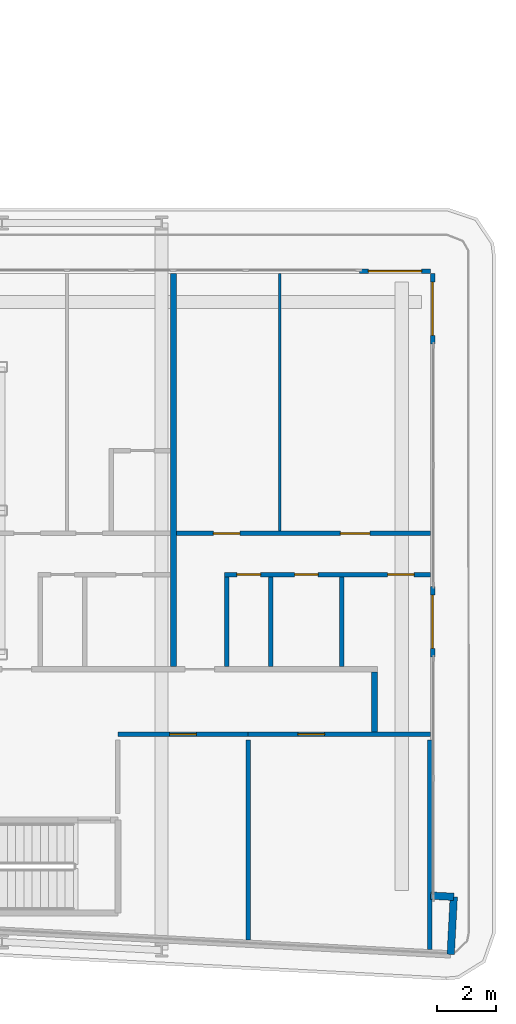
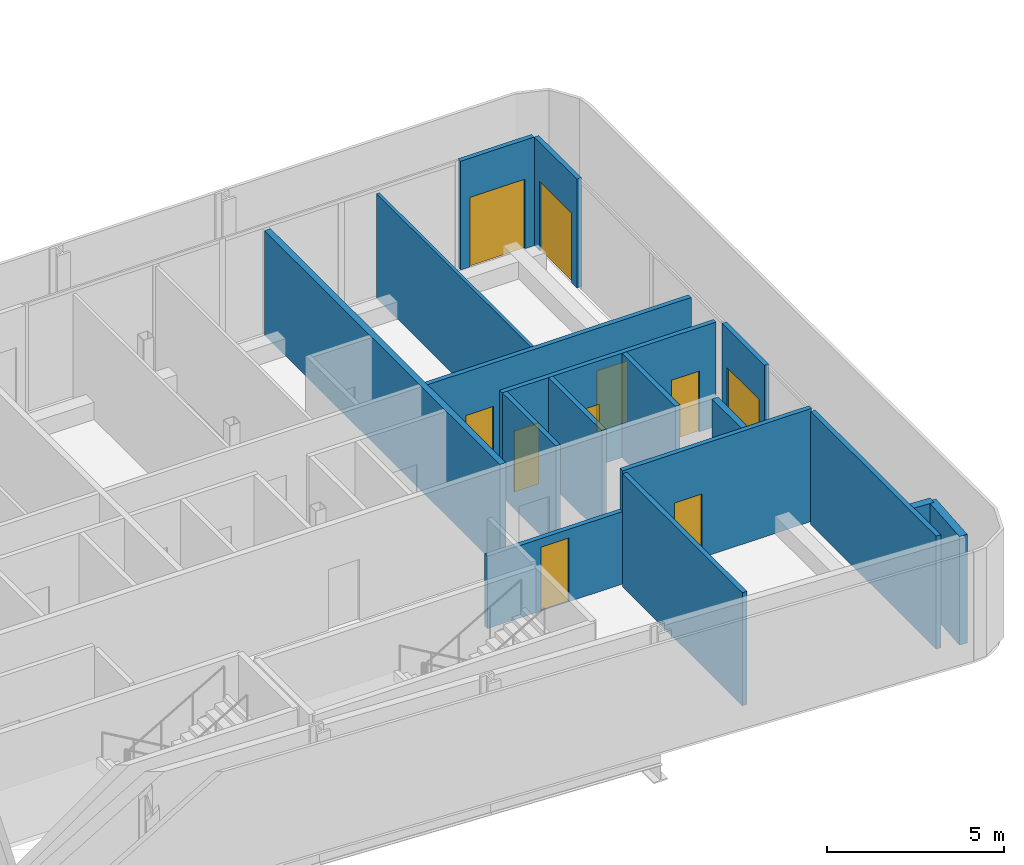
# One storey, part 19 of 28: 17 walls, 10 doors, 10 openings.
"""IFC4 building model written with IfcOpenShell, lengths in metres."""

from ifc_helpers import new_model, si_unit, direction, frame, frame_2d, origin, place, context, subcontext, project, spatial, rectangle, extrude, source, transform, mapped, material, layer, layer_set, type_object, element, fill, save


model = new_model("IFC4")

# Units and contexts
model_context = context("Model", 3, precision=1e-05, world=origin(), true_north=direction((0.0, 1.0)))
body_context = subcontext(model_context, "Body", "Model", "MODEL_VIEW")
ifc_project = project(units=[si_unit("LENGTHUNIT", "METRE"), si_unit("AREAUNIT", "SQUARE_METRE"), si_unit("VOLUMEUNIT", "CUBIC_METRE"), si_unit("PLANEANGLEUNIT", "RADIAN"), si_unit("MASSUNIT", "GRAM", prefix="KILO")], contexts=[model_context])

# Site, building, storey
site_placement = place(None, origin())
site = spatial("IfcSite", under=ifc_project, at=site_placement, CompositionType="ELEMENT")
building_placement = place(site_placement, origin())
building = spatial("IfcBuilding", under=site, at=building_placement, Name="Kheshtan School and Residences Tower", CompositionType="ELEMENT")
storey_placement = place(building_placement, frame((0.0, 0.0, 73.39990234375)))
storey = spatial("IfcBuildingStorey", under=building, at=storey_placement, Name="L17", CompositionType="ELEMENT", Elevation=73.39990234375)

# Walls
ifc_material_1 = material(Name="Gypsum board on steel studs with fire boards", Category="steel")
ifc_layer_1 = layer(ifc_material_1, 0.199951171875)
ifc_layer_set_1 = layer_set([ifc_layer_1], Name="Corridor wall 200")
wall_type_1 = type_object("IfcWallType", Name="Corridor wall 200", PredefinedType="PARTITIONING", material=ifc_layer_set_1)
wall_1_placement = place(storey_placement, frame((98.0, 28.3740234375, 0.0), z_axis=(0.0, 0.0, 1.0), x_axis=(0.0, 1.0, 0.0)))
element("IfcWall", 1, at=wall_1_placement, inside=storey, type_object=wall_type_1, Name="Partition L17-091", PredefinedType="PARTITIONING", context=body_context, shape_type="SweptSolid", body=[
    extrude(rectangle(XDim=2.02587890625, YDim=0.199951171875, at=frame_2d((1.012939453125, 0.0))), origin(), (0.0, 0.0, 1.0), 3.60009765625),
])
ifc_material_2 = material(Name="Concrete C40/50 with ceramic cladding and mineral wool insulation", Category="concrete")
ifc_layer_2 = layer(ifc_material_2, 0.25)
ifc_layer_set_2 = layer_set([ifc_layer_2], Name="External wall 250 ceramic clad")
wall_type_2 = type_object("IfcWallType", Name="External wall 250 ceramic clad", PredefinedType="SOLIDWALL", material=ifc_layer_set_2)
wall_2_placement = place(storey_placement, frame((99.906982421875, 22.839111328125, 0.0), z_axis=(0.0, 0.0, 1.0), x_axis=(0.998561284263, -0.053622398031, 0.0)))
element("IfcWall", 2, at=wall_2_placement, inside=storey, type_object=wall_type_2, Name="External wall L17 14", PredefinedType="SOLIDWALL", context=body_context, shape_type="SweptSolid", body=[
    extrude(rectangle(XDim=0.783203125, YDim=0.25, at=frame_2d((0.3916015625, 0.0))), origin(), (0.0, 0.0, 1.0), 3.75),
])
wall_3_placement = place(storey_placement, frame((100.68896484375, 22.797119140625, 0.0), z_axis=(0.0, 0.0, 1.0), x_axis=(-0.052841433274, -0.998602915542, 0.0)))
element("IfcWall", 3, at=wall_3_placement, inside=storey, type_object=wall_type_2, Name="External wall L17 15", PredefinedType="SOLIDWALL", context=body_context, shape_type="SweptSolid", body=[
    extrude(rectangle(XDim=1.94970703125, YDim=0.25, at=frame_2d((0.974853515625, 0.0))), origin(), (0.0, 0.0, 1.0), 3.75),
])

# Wall, opening, door
ifc_material_3 = material(Name="Aluminium frame wall with insulated infill", Category="aluminium")
ifc_layer_3 = layer(ifc_material_3, 0.14990234375)
ifc_layer_set_3 = layer_set([ifc_layer_3], Name="Glazing frame wall 150")
wall_type_3 = type_object("IfcWallType", Name="Glazing frame wall 150", PredefinedType="SOLIDWALL", material=ifc_layer_set_3)
wall_4_placement = place(storey_placement, frame((97.5, 43.97509765625, 0.0), z_axis=(0.0, 0.0, 1.0), x_axis=(1.0, 0.0, 0.0)))
wall_4 = element("IfcWall", 4, at=wall_4_placement, inside=storey, type_object=wall_type_3, Name="Balcony door wall L17 12.5", PredefinedType="SOLIDWALL", context=body_context, shape_type="SweptSolid", body=[
    extrude(rectangle(XDim=2.39990234375, YDim=0.14990234375, at=frame_2d((1.199951171875, 0.0))), origin(), (0.0, 0.0, 1.0), 3.75),
])
opening_1_placement = place(wall_4_placement, frame((0.300048828125, 0.0, 0.0)))
opening_1 = element("IfcOpeningElement", 5, at=opening_1_placement, cuts=wall_4, Name="Opening BD", PredefinedType="OPENING", context=body_context, shape_type="SweptSolid", body=[
    extrude(rectangle(XDim=1.800048828125, YDim=2.39990234375, at=frame_2d((0.89990234375, 1.199951171875))), frame((0.0, 0.0849609375, 0.0), z_axis=(0.0, -1.0, 0.0), x_axis=(1.0, 0.0, 0.0)), (0.0, 0.0, 1.0), 0.169921875),
])
ifc_material_4 = material(Name="Clear low-e glass in thermally broken aluminium frame", Category="aluminium")
door_type_1 = type_object("IfcDoorType", Name="Balcony sliding door", OperationType="SLIDING_TO_LEFT", PredefinedType="DOOR", material=ifc_material_4)
shared_shape_1 = source(origin(), body_context, "Body", "SweptSolid", [
    extrude(rectangle(XDim=1.800048828125, YDim=2.39990234375, at=frame_2d((0.89990234375, 1.199951171875))), frame((0.0, 0.02490234375, 0.0), z_axis=(0.0, -1.0, 0.0), x_axis=(1.0, 0.0, 0.0)), (0.0, 0.0, 1.0), 0.050048828125),
])
door_1_placement = place(opening_1_placement, origin())
door_1 = element("IfcDoor", 6, at=door_1_placement, inside=storey, type_object=door_type_1, Name="Balcony door L17 12.5", OperationType="SLIDING_TO_LEFT", OverallHeight=2.39990234375, OverallWidth=1.800048828125, PredefinedType="DOOR", context=body_context, shape_type="MappedRepresentation", body=[
    mapped(shared_shape_1, transform((0.0, 0.0, 0.0), x_axis=(1.0, 0.0, 0.0), y_axis=(0.0, 1.0, 0.0), z_axis=(0.0, 0.0, 1.0), scale=1.0)),
])
fill(opening_1, door_1)

wall_5_placement = place(storey_placement, frame((99.97509765625, 43.89990234375, 0.0), z_axis=(0.0, 0.0, 1.0), x_axis=(0.0, -1.0, 0.0)))
wall_5 = element("IfcWall", 7, at=wall_5_placement, inside=storey, type_object=wall_type_3, Name="Balcony door wall L17 13.1", PredefinedType="SOLIDWALL", context=body_context, shape_type="SweptSolid", body=[
    extrude(rectangle(XDim=2.39990234375, YDim=0.14990234375, at=frame_2d((1.199951171875, 0.0))), origin(), (0.0, 0.0, 1.0), 3.75),
])
opening_2_placement = place(wall_5_placement, frame((0.300048828125, 0.0, 0.0)))
opening_2 = element("IfcOpeningElement", 8, at=opening_2_placement, cuts=wall_5, Name="Opening BD", PredefinedType="OPENING", context=body_context, shape_type="SweptSolid", body=[
    extrude(rectangle(XDim=1.800048828125, YDim=2.39990234375, at=frame_2d((0.89990234375, 1.199951171875))), frame((0.0, 0.0849609375, 0.0), z_axis=(0.0, -1.0, 0.0), x_axis=(1.0, 0.0, 0.0)), (0.0, 0.0, 1.0), 0.169921875),
])
door_2_placement = place(opening_2_placement, origin())
door_2 = element("IfcDoor", 9, at=door_2_placement, inside=storey, type_object=door_type_1, Name="Balcony door L17 13.1", OperationType="SLIDING_TO_LEFT", OverallHeight=2.39990234375, OverallWidth=1.800048828125, PredefinedType="DOOR", context=body_context, shape_type="MappedRepresentation", body=[
    mapped(shared_shape_1, transform((0.0, 0.0, 0.0), x_axis=(1.0, 0.0, 0.0), y_axis=(0.0, 1.0, 0.0), z_axis=(0.0, 0.0, 1.0), scale=1.0)),
])
fill(opening_2, door_2)

wall_6_placement = place(storey_placement, frame((99.97509765625, 33.306884765625, 0.0), z_axis=(0.0, 0.0, 1.0), x_axis=(0.0, -1.0, 0.0)))
wall_6 = element("IfcWall", 10, at=wall_6_placement, inside=storey, type_object=wall_type_3, Name="Balcony door wall L17 13.2", PredefinedType="SOLIDWALL", context=body_context, shape_type="SweptSolid", body=[
    extrude(rectangle(XDim=2.39990234375, YDim=0.14990234375, at=frame_2d((1.199951171875, 0.0))), origin(), (0.0, 0.0, 1.0), 3.75),
])
opening_3_placement = place(wall_6_placement, frame((0.300048828125, 0.0, 0.0)))
opening_3 = element("IfcOpeningElement", 11, at=opening_3_placement, cuts=wall_6, Name="Opening BD", PredefinedType="OPENING", context=body_context, shape_type="SweptSolid", body=[
    extrude(rectangle(XDim=1.800048828125, YDim=2.39990234375, at=frame_2d((0.89990234375, 1.199951171875))), frame((0.0, 0.0849609375, 0.0), z_axis=(0.0, -1.0, 0.0), x_axis=(1.0, 0.0, 0.0)), (0.0, 0.0, 1.0), 0.169921875),
])
door_3_placement = place(opening_3_placement, origin())
door_3 = element("IfcDoor", 12, at=door_3_placement, inside=storey, type_object=door_type_1, Name="Balcony door L17 13.2", OperationType="SLIDING_TO_LEFT", OverallHeight=2.39990234375, OverallWidth=1.800048828125, PredefinedType="DOOR", context=body_context, shape_type="MappedRepresentation", body=[
    mapped(shared_shape_1, transform((0.0, 0.0, 0.0), x_axis=(1.0, 0.0, 0.0), y_axis=(0.0, 1.0, 0.0), z_axis=(0.0, 0.0, 1.0), scale=1.0)),
])
fill(opening_3, door_3)

# Wall
ifc_material_5 = material(Name="Gypsum board on steel studs", Category="steel")
ifc_layer_4 = layer(ifc_material_5, 0.10009765625)
ifc_layer_set_4 = layer_set([ifc_layer_4], Name="Gypsum partition 100")
wall_type_4 = type_object("IfcWallType", Name="Gypsum partition 100", PredefinedType="PARTITIONING", material=ifc_layer_set_4)
wall_7_placement = place(storey_placement, frame((94.800048828125, 35.175048828125, 0.0), z_axis=(0.0, 0.0, 1.0), x_axis=(0.0, 1.0, 0.0)))
element("IfcWall", 13, at=wall_7_placement, inside=storey, type_object=wall_type_4, Name="Partition L17-089", PredefinedType="PARTITIONING", context=body_context, shape_type="SweptSolid", body=[
    extrude(rectangle(XDim=8.724853515625, YDim=0.10009765625, at=frame_2d((4.3623046875, 0.0))), origin(), (0.0, 0.0, 1.0), 3.60009765625),
])

# Wall, opening, door
ifc_material_6 = material(Name="Fire-board shaft wall system")
ifc_layer_5 = layer(ifc_material_6, 0.14990234375)
ifc_layer_set_5 = layer_set([ifc_layer_5], Name="Service room wall 150")
wall_type_5 = type_object("IfcWallType", Name="Service room wall 150", PredefinedType="PARTITIONING", material=ifc_layer_set_5)
wall_8_placement = place(storey_placement, frame((89.320068359375, 28.300048828125, 0.0), z_axis=(0.0, 0.0, 1.0), x_axis=(1.0, 0.0, 0.0)))
wall_8 = element("IfcWall", 14, at=wall_8_placement, inside=storey, type_object=wall_type_5, Name="Service room wall", PredefinedType="PARTITIONING", context=body_context, shape_type="SweptSolid", body=[
    extrude(rectangle(XDim=4.412841796875, YDim=0.14990234375, at=frame_2d((2.20654296875, 0.0))), origin(), (0.0, 0.0, 1.0), 2.5),
])
opening_4_placement = place(wall_8_placement, frame((1.756103515625, 0.0, 0.0)))
opening_4 = element("IfcOpeningElement", 15, at=opening_4_placement, cuts=wall_8, Name="Opening SR90", PredefinedType="OPENING", context=body_context, shape_type="SweptSolid", body=[
    extrude(rectangle(XDim=0.89990234375, YDim=2.199951171875, at=frame_2d((0.449951171875, 1.10009765625))), frame((0.0, 0.0849609375, 0.0), z_axis=(0.0, -1.0, 0.0), x_axis=(1.0, 0.0, 0.0)), (0.0, 0.0, 1.0), 0.169921875),
])
ifc_material_7 = material(Name="Steel door leaf, galvanised", Category="steel")
door_type_2 = type_object("IfcDoorType", Name="Service room door 900 steel 90 min", OperationType="SINGLE_SWING_LEFT", PredefinedType="DOOR", material=ifc_material_7)
shared_shape_2 = source(origin(), body_context, "Body", "SweptSolid", [
    extrude(rectangle(XDim=0.89990234375, YDim=2.199951171875, at=frame_2d((0.449951171875, 1.10009765625))), frame((0.0, 0.02490234375, 0.0), z_axis=(0.0, -1.0, 0.0), x_axis=(1.0, 0.0, 0.0)), (0.0, 0.0, 1.0), 0.050048828125),
])
door_4_placement = place(opening_4_placement, origin())
door_4 = element("IfcDoor", 16, at=door_4_placement, inside=storey, type_object=door_type_2, Name="Service room door", OperationType="SINGLE_SWING_LEFT", OverallHeight=2.199951171875, OverallWidth=0.89990234375, PredefinedType="DOOR", context=body_context, shape_type="MappedRepresentation", body=[
    mapped(shared_shape_2, transform((0.0, 0.0, 0.0), x_axis=(1.0, 0.0, 0.0), y_axis=(0.0, 1.0, 0.0), z_axis=(0.0, 0.0, 1.0), scale=1.0)),
])
fill(opening_4, door_4)

# Wall
wall_9_placement = place(storey_placement, frame((93.73291015625, 21.337890625, 0.0), z_axis=(0.0, 0.0, 1.0), x_axis=(0.0, 1.0, 0.0)))
element("IfcWall", 17, at=wall_9_placement, inside=storey, type_object=wall_type_5, Name="Service room wall", PredefinedType="PARTITIONING", context=body_context, shape_type="SweptSolid", body=[
    extrude(rectangle(XDim=6.76708984375, YDim=0.14990234375, at=frame_2d((3.383544921875, 0.0))), origin(), (0.0, 0.0, 1.0), 3.900146484375),
])

# Wall, opening, door
wall_10_placement = place(storey_placement, frame((93.73291015625, 28.300048828125, 0.0), z_axis=(0.0, 0.0, 1.0), x_axis=(1.0, 0.0, 0.0)))
wall_10 = element("IfcWall", 18, at=wall_10_placement, inside=storey, type_object=wall_type_5, Name="Service room wall", PredefinedType="PARTITIONING", context=body_context, shape_type="SweptSolid", body=[
    extrude(rectangle(XDim=6.1650390625, YDim=0.14990234375, at=frame_2d((3.08251953125, 0.0))), origin(), (0.0, 0.0, 1.0), 3.900146484375),
])
opening_5_placement = place(wall_10_placement, frame((1.68310546875, 0.0, 0.0)))
opening_5 = element("IfcOpeningElement", 19, at=opening_5_placement, cuts=wall_10, Name="Opening SR90", PredefinedType="OPENING", context=body_context, shape_type="SweptSolid", body=[
    extrude(rectangle(XDim=0.89990234375, YDim=2.199951171875, at=frame_2d((0.449951171875, 1.10009765625))), frame((0.0, 0.0849609375, 0.0), z_axis=(0.0, -1.0, 0.0), x_axis=(1.0, 0.0, 0.0)), (0.0, 0.0, 1.0), 0.169921875),
])
door_5_placement = place(opening_5_placement, origin())
door_5 = element("IfcDoor", 20, at=door_5_placement, inside=storey, type_object=door_type_2, Name="Service room door", OperationType="SINGLE_SWING_RIGHT", OverallHeight=2.199951171875, OverallWidth=0.89990234375, PredefinedType="DOOR", context=body_context, shape_type="MappedRepresentation", body=[
    mapped(shared_shape_2, transform((0.0, 0.0, 0.0), x_axis=(1.0, 0.0, 0.0), y_axis=(0.0, 1.0, 0.0), z_axis=(0.0, 0.0, 1.0), scale=1.0)),
])
fill(opening_5, door_5)

# Walls
wall_11_placement = place(storey_placement, frame((99.8701171875, 21.014892578125, 0.0), z_axis=(0.0, 0.0, 1.0), x_axis=(0.0, 1.0, 0.0)))
element("IfcWall", 21, at=wall_11_placement, inside=storey, type_object=wall_type_5, Name="Service room wall", PredefinedType="PARTITIONING", context=body_context, shape_type="SweptSolid", body=[
    extrude(rectangle(XDim=7.090087890625, YDim=0.14990234375, at=frame_2d((3.544921875, 0.0))), origin(), (0.0, 0.0, 1.0), 3.900146484375),
])
ifc_material_8 = material(Name="Twin gypsum board on steel studs with mineral wool", Category="steel")
ifc_layer_6 = layer(ifc_material_8, 0.199951171875)
ifc_layer_set_6 = layer_set([ifc_layer_6], Name="Unit demising wall 200")
wall_type_6 = type_object("IfcWallType", Name="Unit demising wall 200", PredefinedType="PARTITIONING", material=ifc_layer_set_6)
wall_12_placement = place(storey_placement, frame((91.199951171875, 30.60009765625, 0.0), z_axis=(0.0, 0.0, 1.0), x_axis=(0.0, 1.0, 0.0)))
element("IfcWall", 22, at=wall_12_placement, inside=storey, type_object=wall_type_6, Name="Partition L17-084", PredefinedType="PARTITIONING", context=body_context, shape_type="SweptSolid", body=[
    extrude(rectangle(XDim=13.2998046875, YDim=0.199951171875, at=frame_2d((6.64990234375, 0.0))), origin(), (0.0, 0.0, 1.0), 3.60009765625),
])

# Wall, openings, doors
ifc_material_9 = material(Name="Moisture-resistant gypsum board on steel studs", Category="steel")
ifc_layer_7 = layer(ifc_material_9, 0.14990234375)
ifc_layer_set_7 = layer_set([ifc_layer_7], Name="Wet-room partition 150")
wall_type_7 = type_object("IfcWallType", Name="Wet-room partition 150", PredefinedType="PARTITIONING", material=ifc_layer_set_7)
wall_13_placement = place(storey_placement, frame((91.300048828125, 35.10009765625, 0.0), z_axis=(0.0, 0.0, 1.0), x_axis=(1.0, 0.0, 0.0)))
wall_13 = element("IfcWall", 23, at=wall_13_placement, inside=storey, type_object=wall_type_7, Name="Partition L17-085", PredefinedType="PARTITIONING", context=body_context, shape_type="SweptSolid", body=[
    extrude(rectangle(XDim=8.599853515625, YDim=0.14990234375, at=frame_2d((4.2998046875, 0.0))), origin(), (0.0, 0.0, 1.0), 3.60009765625),
])
opening_6_placement = place(wall_13_placement, frame((1.25, 0.0, 0.0)))
opening_6 = element("IfcOpeningElement", 24, at=opening_6_placement, cuts=wall_13, Name="Opening D17-031", PredefinedType="OPENING", context=body_context, shape_type="SweptSolid", body=[
    extrude(rectangle(XDim=0.89990234375, YDim=2.10009765625, at=frame_2d((0.449951171875, 1.050048828125))), frame((0.0, 0.0849609375, 0.0), z_axis=(0.0, -1.0, 0.0), x_axis=(1.0, 0.0, 0.0)), (0.0, 0.0, 1.0), 0.169921875),
])
opening_7_placement = place(wall_13_placement, frame((5.550048828125, 0.0, 0.0)))
opening_7 = element("IfcOpeningElement", 25, at=opening_7_placement, cuts=wall_13, Name="Opening D17-034", PredefinedType="OPENING", context=body_context, shape_type="SweptSolid", body=[
    extrude(rectangle(XDim=1.0, YDim=2.10009765625, at=frame_2d((0.5, 1.050048828125))), frame((0.0, 0.0849609375, 0.0), z_axis=(0.0, -1.0, 0.0), x_axis=(1.0, 0.0, 0.0)), (0.0, 0.0, 1.0), 0.169921875),
])
ifc_material_10 = material(Name="Veneered timber door leaf", Category="wood")
door_type_3 = type_object("IfcDoorType", Name="Door 1000 x 2100", OperationType="SINGLE_SWING_LEFT", PredefinedType="DOOR", material=ifc_material_10)
shared_shape_3 = source(origin(), body_context, "Body", "SweptSolid", [
    extrude(rectangle(XDim=1.0, YDim=2.10009765625, at=frame_2d((0.5, 1.050048828125))), frame((0.0, 0.02490234375, 0.0), z_axis=(0.0, -1.0, 0.0), x_axis=(1.0, 0.0, 0.0)), (0.0, 0.0, 1.0), 0.050048828125),
])
door_6_placement = place(opening_7_placement, origin())
door_6 = element("IfcDoor", 26, at=door_6_placement, inside=storey, type_object=door_type_3, Name="Door D17-034", OperationType="SINGLE_SWING_LEFT", OverallHeight=2.10009765625, OverallWidth=1.0, PredefinedType="DOOR", context=body_context, shape_type="MappedRepresentation", body=[
    mapped(shared_shape_3, transform((0.0, 0.0, 0.0), x_axis=(1.0, 0.0, 0.0), y_axis=(0.0, 1.0, 0.0), z_axis=(0.0, 0.0, 1.0), scale=1.0)),
])
fill(opening_7, door_6)
door_type_4 = type_object("IfcDoorType", Name="Door 900 x 2100", OperationType="SINGLE_SWING_LEFT", PredefinedType="DOOR", material=ifc_material_10)
shared_shape_4 = source(origin(), body_context, "Body", "SweptSolid", [
    extrude(rectangle(XDim=0.89990234375, YDim=2.10009765625, at=frame_2d((0.449951171875, 1.050048828125))), frame((0.0, 0.02490234375, 0.0), z_axis=(0.0, -1.0, 0.0), x_axis=(1.0, 0.0, 0.0)), (0.0, 0.0, 1.0), 0.050048828125),
])
door_7_placement = place(opening_6_placement, origin())
door_7 = element("IfcDoor", 27, at=door_7_placement, inside=storey, type_object=door_type_4, Name="Door D17-031", OperationType="SINGLE_SWING_RIGHT", OverallHeight=2.10009765625, OverallWidth=0.89990234375, PredefinedType="DOOR", context=body_context, shape_type="MappedRepresentation", body=[
    mapped(shared_shape_4, transform((0.0, 0.0, 0.0), x_axis=(1.0, 0.0, 0.0), y_axis=(0.0, 1.0, 0.0), z_axis=(0.0, 0.0, 1.0), scale=1.0)),
])
fill(opening_6, door_7)

wall_14_placement = place(storey_placement, frame((92.925048828125, 33.699951171875, 0.0), z_axis=(0.0, 0.0, 1.0), x_axis=(1.0, 0.0, 0.0)))
wall_14 = element("IfcWall", 28, at=wall_14_placement, inside=storey, type_object=wall_type_7, Name="Partition L17-086", PredefinedType="PARTITIONING", context=body_context, shape_type="SweptSolid", body=[
    extrude(rectangle(XDim=6.974853515625, YDim=0.14990234375, at=frame_2d((3.4873046875, 0.0))), origin(), (0.0, 0.0, 1.0), 3.60009765625),
])
opening_8_placement = place(wall_14_placement, frame((2.375, 0.0, 0.0)))
opening_8 = element("IfcOpeningElement", 29, at=opening_8_placement, cuts=wall_14, Name="Opening D17-030", PredefinedType="OPENING", context=body_context, shape_type="SweptSolid", body=[
    extrude(rectangle(XDim=0.800048828125, YDim=2.10009765625, at=frame_2d((0.39990234375, 1.050048828125))), frame((0.0, 0.0849609375, 0.0), z_axis=(0.0, -1.0, 0.0), x_axis=(1.0, 0.0, 0.0)), (0.0, 0.0, 1.0), 0.169921875),
])
opening_9_placement = place(wall_14_placement, frame((5.52490234375, 0.0, 0.0)))
opening_9 = element("IfcOpeningElement", 30, at=opening_9_placement, cuts=wall_14, Name="Opening D17-033", PredefinedType="OPENING", context=body_context, shape_type="SweptSolid", body=[
    extrude(rectangle(XDim=0.89990234375, YDim=2.10009765625, at=frame_2d((0.449951171875, 1.050048828125))), frame((0.0, 0.0849609375, 0.0), z_axis=(0.0, -1.0, 0.0), x_axis=(1.0, 0.0, 0.0)), (0.0, 0.0, 1.0), 0.169921875),
])
opening_10_placement = place(wall_14_placement, frame((0.425048828125, 0.0, 0.0)))
opening_10 = element("IfcOpeningElement", 31, at=opening_10_placement, cuts=wall_14, Name="Opening D17-035", PredefinedType="OPENING", context=body_context, shape_type="SweptSolid", body=[
    extrude(rectangle(XDim=0.800048828125, YDim=2.10009765625, at=frame_2d((0.39990234375, 1.050048828125))), frame((0.0, 0.0849609375, 0.0), z_axis=(0.0, -1.0, 0.0), x_axis=(1.0, 0.0, 0.0)), (0.0, 0.0, 1.0), 0.169921875),
])
door_type_5 = type_object("IfcDoorType", Name="Door 800 x 2100", OperationType="SINGLE_SWING_LEFT", PredefinedType="DOOR", material=ifc_material_10)
shared_shape_5 = source(origin(), body_context, "Body", "SweptSolid", [
    extrude(rectangle(XDim=0.800048828125, YDim=2.10009765625, at=frame_2d((0.39990234375, 1.050048828125))), frame((0.0, 0.02490234375, 0.0), z_axis=(0.0, -1.0, 0.0), x_axis=(1.0, 0.0, 0.0)), (0.0, 0.0, 1.0), 0.050048828125),
])
door_8_placement = place(opening_8_placement, origin())
door_8 = element("IfcDoor", 32, at=door_8_placement, inside=storey, type_object=door_type_5, Name="Door D17-030", OperationType="SINGLE_SWING_LEFT", OverallHeight=2.10009765625, OverallWidth=0.800048828125, PredefinedType="DOOR", context=body_context, shape_type="MappedRepresentation", body=[
    mapped(shared_shape_5, transform((0.0, 0.0, 0.0), x_axis=(1.0, 0.0, 0.0), y_axis=(0.0, 1.0, 0.0), z_axis=(0.0, 0.0, 1.0), scale=1.0)),
])
fill(opening_8, door_8)
door_9_placement = place(opening_10_placement, origin())
door_9 = element("IfcDoor", 33, at=door_9_placement, inside=storey, type_object=door_type_5, Name="Door D17-035", OperationType="SINGLE_SWING_LEFT", OverallHeight=2.10009765625, OverallWidth=0.800048828125, PredefinedType="DOOR", context=body_context, shape_type="MappedRepresentation", body=[
    mapped(shared_shape_5, transform((0.0, 0.0, 0.0), x_axis=(1.0, 0.0, 0.0), y_axis=(0.0, 1.0, 0.0), z_axis=(0.0, 0.0, 1.0), scale=1.0)),
])
fill(opening_10, door_9)
door_10_placement = place(opening_9_placement, origin())
door_10 = element("IfcDoor", 34, at=door_10_placement, inside=storey, type_object=door_type_4, Name="Door D17-033", OperationType="SINGLE_SWING_RIGHT", OverallHeight=2.10009765625, OverallWidth=0.89990234375, PredefinedType="DOOR", context=body_context, shape_type="MappedRepresentation", body=[
    mapped(shared_shape_4, transform((0.0, 0.0, 0.0), x_axis=(1.0, 0.0, 0.0), y_axis=(0.0, 1.0, 0.0), z_axis=(0.0, 0.0, 1.0), scale=1.0)),
])
fill(opening_9, door_10)

# Walls
for number, where, z_axis, x_axis, name in (
    (35, (93.0, 30.60009765625, 0.0), (0.0, 0.0, 1.0), (0.0, 1.0, 0.0), "Partition L17-087"),
    (36, (94.5, 30.60009765625, 0.0), (0.0, 0.0, 1.0), (0.0, 1.0, 0.0), "Partition L17-088"),
    (37, (96.89990234375, 30.60009765625, 0.0), (0.0, 0.0, 1.0), (0.0, 1.0, 0.0), "Partition L17-090"),
):
    element("IfcWall", number, at=place(storey_placement, frame(where, z_axis=z_axis, x_axis=x_axis)), inside=storey, type_object=wall_type_7, Name=name, PredefinedType="PARTITIONING", context=body_context, shape_type="SweptSolid", body=[
        extrude(rectangle(XDim=3.02490234375, YDim=0.14990234375, at=frame_2d((1.512451171875, 0.0))), origin(), (0.0, 0.0, 1.0), 3.60009765625),
    ])

save(model, "model.ifc")
